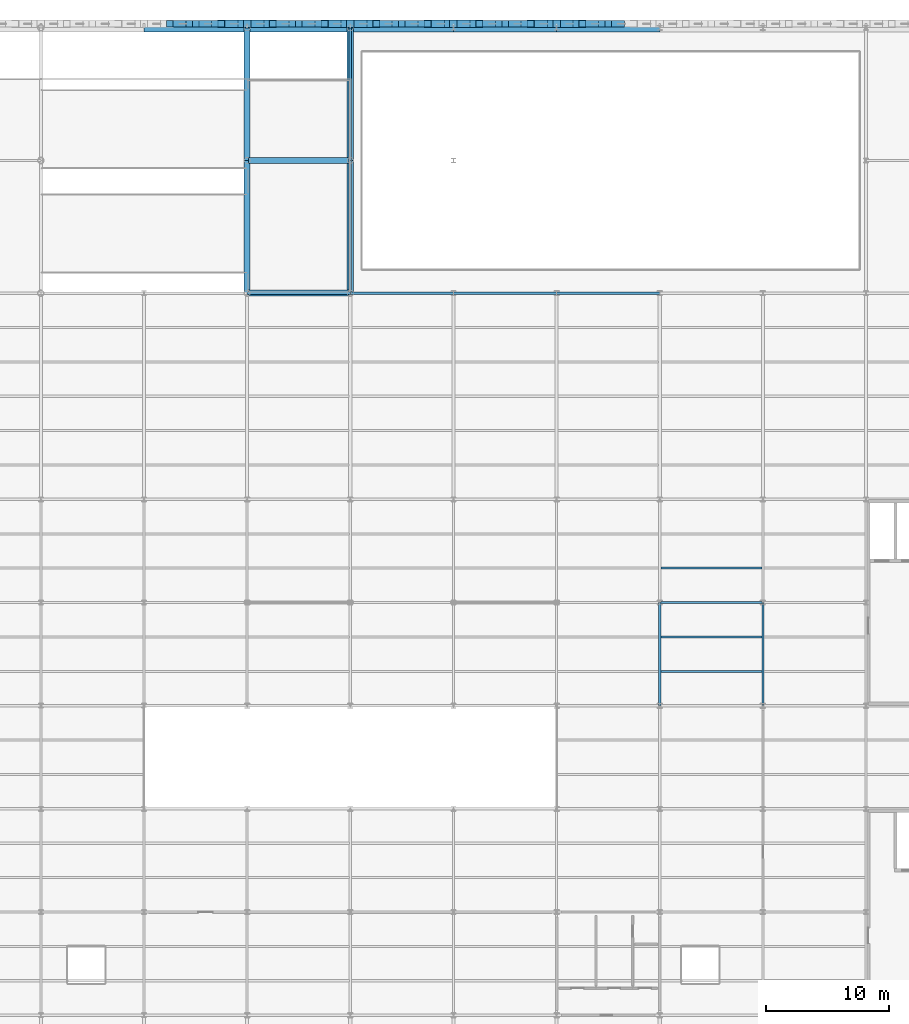
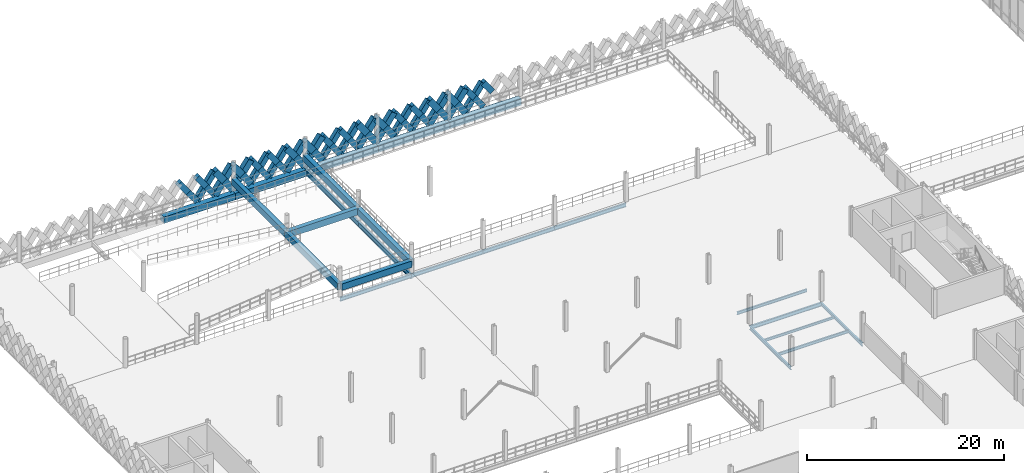
# One storey, part 38 of 101: 51 members, 23 beams.
"""IFC4 building model written with IfcOpenShell, lengths in metres."""

from ifc_helpers import new_model, si_unit, direction, frame, origin, origin_2d, place, context, subcontext, project, spatial, rectangle, i_section, extrude, material, material_profile, profile_set, type_object, element, save


model = new_model("IFC4")

# Units and contexts
model_context = context("Model", 3, precision=1e-05, world=origin(), true_north=direction((0.0, 1.0)))
body_context = subcontext(model_context, "Body", "Model", "MODEL_VIEW")
ifc_project = project(units=[si_unit("LENGTHUNIT", "METRE"), si_unit("AREAUNIT", "SQUARE_METRE"), si_unit("VOLUMEUNIT", "CUBIC_METRE"), si_unit("PLANEANGLEUNIT", "RADIAN"), si_unit("MASSUNIT", "GRAM", prefix="KILO"), si_unit("THERMODYNAMICTEMPERATUREUNIT", "KELVIN"), si_unit("POWERUNIT", "WATT")], contexts=[model_context])

# Site, building, storey
site_placement = place(None, origin())
site = spatial("IfcSite", under=ifc_project, at=site_placement, CompositionType="ELEMENT")
building_placement = place(site_placement, origin())
building = spatial("IfcBuilding", under=site, at=building_placement, Name="Tembeka Court Mobility Hub", CompositionType="ELEMENT")
storey_placement = place(building_placement, frame((0.0, 0.0, 5.39990234375)))
storey = spatial("IfcBuildingStorey", under=building, at=storey_placement, Name="L01", CompositionType="ELEMENT", Elevation=5.39990234375)

# Beams
ifc_material_1 = material(Name="Steel S355", Category="steel")
ifc_material_profile_1 = material_profile(ifc_material_1, i_section(OverallWidth=0.18994140625, OverallDepth=0.45703125, WebThickness=0.009033203125, FlangeThickness=0.014404296875, FilletRadius=0.01025390625, at=origin_2d()), Name="UKB 457x191x74")
ifc_profile_set_1 = profile_set([ifc_material_profile_1], Name="Steel S355")
beam_type_1 = type_object("IfcBeamType", Name="BM-B01", PredefinedType="BEAM", material=ifc_profile_set_1)
beam_1_placement = place(storey_placement, frame((67.199951171875, 72.0, -0.448486328125), z_axis=(1.0, 0.0, 0.0), x_axis=(0.0, 1.0, 0.0)))
element("IfcBeam", 1, at=beam_1_placement, inside=storey, type_object=beam_type_1, Name="Beam B01 (BM-L01-X0712)", PredefinedType="BEAM", context=body_context, shape_type="SweptSolid", body=[
    extrude(i_section(OverallWidth=0.18994140625, OverallDepth=0.45703125, WebThickness=0.009033203125, FlangeThickness=0.014404296875, FilletRadius=0.01025390625, at=origin_2d()), origin(), (0.0, 0.0, 1.0), 8.400146484375),
])
for number, where, z_axis, x_axis, name in (
    (2, (33.60009765625, 97.199951171875, -0.448486328125), (1.0, 0.0, 0.0), (0.0, 1.0, 0.0), "Beam B01 (BM-L01-X0739)"),
    (3, (42.0, 97.199951171875, -0.448486328125), (1.0, 0.0, 0.0), (0.0, 1.0, 0.0), "Beam B01 (BM-L01-X0740)"),
):
    element("IfcBeam", number, at=place(storey_placement, frame(where, z_axis=z_axis, x_axis=x_axis)), inside=storey, type_object=beam_type_1, Name=name, PredefinedType="BEAM", context=body_context, shape_type="SweptSolid", body=[
        extrude(i_section(OverallWidth=0.18994140625, OverallDepth=0.45703125, WebThickness=0.009033203125, FlangeThickness=0.014404296875, FilletRadius=0.01025390625, at=origin_2d()), origin(), (0.0, 0.0, 1.0), 8.39990234375),
    ])
beam_2_placement = place(storey_placement, frame((50.39990234375, 97.199951171875, -0.448486328125), z_axis=(1.0, 0.0, 0.0), x_axis=(0.0, 1.0, 0.0)))
element("IfcBeam", 4, at=beam_2_placement, inside=storey, type_object=beam_type_1, Name="Beam B01 (BM-L01-X0741)", PredefinedType="BEAM", context=body_context, shape_type="SweptSolid", body=[
    extrude(i_section(OverallWidth=0.18994140625, OverallDepth=0.45703125, WebThickness=0.009033203125, FlangeThickness=0.014404296875, FilletRadius=0.01025390625, at=origin_2d()), origin(), (0.0, 0.0, 1.0), 8.400146484375),
])
beam_3_placement = place(storey_placement, frame((58.800048828125, 97.199951171875, -0.448486328125), z_axis=(1.0, 0.0, 0.0), x_axis=(0.0, 1.0, 0.0)))
element("IfcBeam", 5, at=beam_3_placement, inside=storey, type_object=beam_type_1, Name="Beam B01 (BM-L01-X0742)", PredefinedType="BEAM", context=body_context, shape_type="SweptSolid", body=[
    extrude(i_section(OverallWidth=0.18994140625, OverallDepth=0.45703125, WebThickness=0.009033203125, FlangeThickness=0.014404296875, FilletRadius=0.01025390625, at=origin_2d()), origin(), (0.0, 0.0, 1.0), 8.39990234375),
])
ifc_material_profile_2 = material_profile(ifc_material_1, i_section(OverallWidth=0.177978515625, OverallDepth=0.406005859375, WebThickness=0.0078125, FlangeThickness=0.0126953125, FilletRadius=0.01025390625, at=origin_2d()), Name="UKB 406x178x60")
ifc_profile_set_2 = profile_set([ifc_material_profile_2], Name="Steel S355")
beam_type_2 = type_object("IfcBeamType", Name="BM-B02", PredefinedType="BEAM", material=ifc_profile_set_2)
for number, where, z_axis, x_axis, name in (
    (6, (67.199951171875, 63.60009765625, -0.4228515625), (0.0, 1.0, 0.0), (-1.0, 0.0, 0.0), "Beam B02 (BM-L01-Y0834)"),
    (7, (75.60009765625, 63.60009765625, -0.4228515625), (0.0, 1.0, 0.0), (-1.0, 0.0, 0.0), "Beam B02 (BM-L01-Y0841)"),
):
    element("IfcBeam", number, at=place(storey_placement, frame(where, z_axis=z_axis, x_axis=x_axis)), inside=storey, type_object=beam_type_2, Name=name, PredefinedType="BEAM", context=body_context, shape_type="SweptSolid", body=[
        extrude(i_section(OverallWidth=0.177978515625, OverallDepth=0.406005859375, WebThickness=0.0078125, FlangeThickness=0.0126953125, FilletRadius=0.01025390625, at=origin_2d()), origin(), (0.0, 0.0, 1.0), 8.39990234375),
    ])
ifc_material_2 = material(Name="Concrete C40/50", Category="concrete")
ifc_material_profile_3 = material_profile(ifc_material_2, rectangle(XDim=0.5, YDim=0.800048828125, at=origin_2d()), Name="RC-BM 500x800")
ifc_profile_set_3 = profile_set([ifc_material_profile_3], Name="Concrete C40/50")
beam_type_3 = type_object("IfcBeamType", Name="BM-B05", PredefinedType="BEAM", material=ifc_profile_set_3)
for number, where, z_axis, x_axis, name in (
    (8, (33.695068359375, 97.199951171875, 1.150146484375), (1.0, 0.0, 0.0), (0.0, 1.0, 0.0), "Car park vehicle ramp North R1 L01 half-landing tie beam EX1"),
    (9, (33.695068359375, 108.0, 1.150146484375), (1.0, 0.0, 0.0), (0.0, 1.0, 0.0), "Car park vehicle ramp North R1 L01 half-landing tie beam EX2"),
):
    element("IfcBeam", number, at=place(storey_placement, frame(where, z_axis=z_axis, x_axis=x_axis)), inside=storey, type_object=beam_type_3, Name=name, PredefinedType="BEAM", context=body_context, shape_type="SweptSolid", body=[
        extrude(rectangle(XDim=0.5, YDim=0.800048828125, at=origin_2d()), origin(), (0.0, 0.0, 1.0), 8.2099609375),
    ])
for number, where, z_axis, x_axis, name in (
    (10, (33.60009765625, 97.199951171875, 1.150146484375), (0.0, 1.0, 0.0), (-1.0, 0.0, 0.0), "Car park vehicle ramp North R1 L01 half-landing beam EM1"),
    (11, (33.60009765625, 108.0, 1.150146484375), (0.0, 1.0, 0.0), (-1.0, 0.0, 0.0), "Car park vehicle ramp North R1 L01 half-landing beam EM2"),
    (12, (42.0, 97.199951171875, 1.150146484375), (0.0, 1.0, 0.0), (-1.0, 0.0, 0.0), "Car park vehicle ramp North R1 L01 half-landing beam EE1"),
    (13, (42.0, 108.0, 1.150146484375), (0.0, 1.0, 0.0), (-1.0, 0.0, 0.0), "Car park vehicle ramp North R1 L01 half-landing beam EE2"),
):
    element("IfcBeam", number, at=place(storey_placement, frame(where, z_axis=z_axis, x_axis=x_axis)), inside=storey, type_object=beam_type_3, Name=name, PredefinedType="BEAM", context=body_context, shape_type="SweptSolid", body=[
        extrude(rectangle(XDim=0.5, YDim=0.800048828125, at=origin_2d()), origin(), (0.0, 0.0, 1.0), 10.800048828125),
    ])
ifc_material_profile_4 = material_profile(ifc_material_1, i_section(OverallWidth=0.22900390625, OverallDepth=0.612060546875, WebThickness=0.011962890625, FlangeThickness=0.01953125, FilletRadius=0.0126953125, at=origin_2d()), Name="UKB 610x229x125")
ifc_profile_set_4 = profile_set([ifc_material_profile_4], Name="Steel S355")
beam_type_4 = type_object("IfcBeamType", Name="BM-G02", PredefinedType="USERDEFINED", material=ifc_profile_set_4)
for number, where, z_axis, x_axis, name in (
    (14, (42.0, 97.199951171875, -0.52587890625), (0.0, 1.0, 0.0), (-1.0, 0.0, 0.0), "Beam G02 (BM-L01-Y0815)"),
    (15, (42.0, 108.0, -0.52587890625), (0.0, 1.0, 0.0), (-1.0, 0.0, 0.0), "Beam G02 (BM-L01-Y0816)"),
):
    element("IfcBeam", number, at=place(storey_placement, frame(where, z_axis=z_axis, x_axis=x_axis)), inside=storey, type_object=beam_type_4, Name=name, ObjectType="GIRDER", PredefinedType="USERDEFINED", context=body_context, shape_type="SweptSolid", body=[
        extrude(i_section(OverallWidth=0.22900390625, OverallDepth=0.612060546875, WebThickness=0.011962890625, FlangeThickness=0.01953125, FilletRadius=0.0126953125, at=origin_2d()), origin(), (0.0, 0.0, 1.0), 10.800048828125),
    ])
ifc_material_profile_5 = material_profile(ifc_material_1, i_section(OverallWidth=0.1650390625, OverallDepth=0.303955078125, WebThickness=0.006103515625, FlangeThickness=0.01025390625, FilletRadius=0.0087890625, at=origin_2d()), Name="UKB 305x165x40")
ifc_profile_set_5 = profile_set([ifc_material_profile_5], Name="Steel S355")
beam_type_5 = type_object("IfcBeamType", Name="BM-J02", PredefinedType="JOIST", material=ifc_profile_set_5)
beam_4_placement = place(storey_placement, frame((67.283935546875, 69.199951171875, -0.371826171875), z_axis=(1.0, 0.0, 0.0), x_axis=(0.0, 1.0, 0.0)))
element("IfcBeam", 16, at=beam_4_placement, inside=storey, type_object=beam_type_5, Name="Beam J02 (JST-L01-1067)", PredefinedType="JOIST", context=body_context, shape_type="SweptSolid", body=[
    extrude(i_section(OverallWidth=0.1650390625, OverallDepth=0.303955078125, WebThickness=0.006103515625, FlangeThickness=0.01025390625, FilletRadius=0.0087890625, at=origin_2d()), origin(), (0.0, 0.0, 1.0), 8.232177734375),
])
ifc_material_profile_6 = material_profile(ifc_material_1, i_section(OverallWidth=0.169921875, OverallDepth=0.360107421875, WebThickness=0.008056640625, FlangeThickness=0.0126953125, FilletRadius=0.01806640625, at=origin_2d()), Name="IPE 360")
ifc_profile_set_6 = profile_set([ifc_material_profile_6], Name="Steel S355")
beam_type_6 = type_object("IfcBeamType", Name="BM-J03", PredefinedType="JOIST", material=ifc_profile_set_6)
for number, where, z_axis, x_axis, name in (
    (17, (67.283935546875, 66.39990234375, -0.39990234375), (1.0, 0.0, 0.0), (0.0, 1.0, 0.0), "Beam J03 (JST-L01-1066)"),
    (18, (67.283935546875, 74.800048828125, -0.39990234375), (1.0, 0.0, 0.0), (0.0, 1.0, 0.0), "Beam J03 (JST-L01-1068)"),
):
    element("IfcBeam", number, at=place(storey_placement, frame(where, z_axis=z_axis, x_axis=x_axis)), inside=storey, type_object=beam_type_6, Name=name, PredefinedType="JOIST", context=body_context, shape_type="SweptSolid", body=[
        extrude(i_section(OverallWidth=0.169921875, OverallDepth=0.360107421875, WebThickness=0.008056640625, FlangeThickness=0.0126953125, FilletRadius=0.01806640625, at=origin_2d()), origin(), (0.0, 0.0, 1.0), 8.232177734375),
    ])
ifc_material_3 = material(Name="Precast concrete C45/55", Category="concrete")
ifc_material_profile_7 = material_profile(ifc_material_3, rectangle(XDim=0.64990234375, YDim=0.800048828125, at=origin_2d()), Name="PC-SP 650x800")
ifc_profile_set_7 = profile_set([ifc_material_profile_7], Name="Precast concrete C45/55")
beam_type_7 = type_object("IfcBeamType", Name="BM-SP01", PredefinedType="SPANDREL", material=ifc_profile_set_7)
beam_5_placement = place(storey_placement, frame((25.199951171875, 118.800048828125, -0.619873046875), z_axis=(1.0, 0.0, 0.0), x_axis=(0.0, 1.0, 0.0)))
element("IfcBeam", 19, at=beam_5_placement, inside=storey, type_object=beam_type_7, Name="Beam SP01 (BM-L01-X0753)", PredefinedType="SPANDREL", context=body_context, shape_type="SweptSolid", body=[
    extrude(rectangle(XDim=0.64990234375, YDim=0.800048828125, at=origin_2d()), origin(), (0.0, 0.0, 1.0), 8.400146484375),
])
for number, where, z_axis, x_axis, name in (
    (20, (33.60009765625, 118.800048828125, -0.619873046875), (1.0, 0.0, 0.0), (0.0, 1.0, 0.0), "Beam SP01 (BM-L01-X0754)"),
    (21, (42.0, 118.800048828125, -0.619873046875), (1.0, 0.0, 0.0), (0.0, 1.0, 0.0), "Beam SP01 (BM-L01-X0755)"),
):
    element("IfcBeam", number, at=place(storey_placement, frame(where, z_axis=z_axis, x_axis=x_axis)), inside=storey, type_object=beam_type_7, Name=name, PredefinedType="SPANDREL", context=body_context, shape_type="SweptSolid", body=[
        extrude(rectangle(XDim=0.64990234375, YDim=0.800048828125, at=origin_2d()), origin(), (0.0, 0.0, 1.0), 8.39990234375),
    ])
beam_6_placement = place(storey_placement, frame((50.39990234375, 118.800048828125, -0.619873046875), z_axis=(1.0, 0.0, 0.0), x_axis=(0.0, 1.0, 0.0)))
element("IfcBeam", 22, at=beam_6_placement, inside=storey, type_object=beam_type_7, Name="Beam SP01 (BM-L01-X0756)", PredefinedType="SPANDREL", context=body_context, shape_type="SweptSolid", body=[
    extrude(rectangle(XDim=0.64990234375, YDim=0.800048828125, at=origin_2d()), origin(), (0.0, 0.0, 1.0), 8.400146484375),
])
beam_7_placement = place(storey_placement, frame((58.800048828125, 118.800048828125, -0.619873046875), z_axis=(1.0, 0.0, 0.0), x_axis=(0.0, 1.0, 0.0)))
element("IfcBeam", 23, at=beam_7_placement, inside=storey, type_object=beam_type_7, Name="Beam SP01 (BM-L01-X0757)", PredefinedType="SPANDREL", context=body_context, shape_type="SweptSolid", body=[
    extrude(rectangle(XDim=0.64990234375, YDim=0.800048828125, at=origin_2d()), origin(), (0.0, 0.0, 1.0), 8.39990234375),
])

# Members
ifc_material_profile_8 = material_profile(ifc_material_3, rectangle(XDim=0.5, YDim=0.64990234375, at=origin_2d()), Name="PC-DIAG 500x650")
ifc_profile_set_8 = profile_set([ifc_material_profile_8], Name="Precast concrete C45/55")
member_type_1 = type_object("IfcMemberType", Name="MEM-DL01", PredefinedType="BRACE", material=ifc_profile_set_8)
for number, where, z_axis, x_axis, name in (
    (24, (29.39990234375, 119.139892578125, 0.02001953125), (-0.582454804382, 0.0, 0.812863088627), (0.0, -1.0, 0.0), "Precast diamond lattice split lower strand DL01 (L01-58B1)"),
    (25, (28.35009765625, 119.139892578125, 1.485107421875), (-0.582544294934, 0.0, 0.812798956963), (0.0, -1.0, 0.0), "Precast diamond lattice split upper strand DL01 (L01-58B2)"),
):
    element("IfcMember", number, at=place(storey_placement, frame(where, z_axis=z_axis, x_axis=x_axis)), inside=storey, type_object=member_type_1, Name=name, PredefinedType="BRACE", context=body_context, shape_type="SweptSolid", body=[
        extrude(rectangle(XDim=0.5, YDim=0.64990234375, at=origin_2d()), origin(), (0.0, 0.0, 1.0), 1.802490234375),
    ])
member_1_placement = place(storey_placement, frame((29.39990234375, 119.139892578125, 0.02001953125), z_axis=(0.582544294934, 0.0, 0.812798956963), x_axis=(0.0, 1.0, 0.0)))
element("IfcMember", 26, at=member_1_placement, inside=storey, type_object=member_type_1, Name="Precast diamond lattice continuous strand DL01 (L01-59A)", PredefinedType="BRACE", context=body_context, shape_type="SweptSolid", body=[
    extrude(rectangle(XDim=0.5, YDim=0.64990234375, at=origin_2d()), origin(), (0.0, 0.0, 1.0), 3.60498046875),
])
for number, where, z_axis, x_axis, name in (
    (27, (31.5, 119.139892578125, 0.02001953125), (-0.582544294934, 0.0, 0.812798956963), (0.0, -1.0, 0.0), "Precast diamond lattice split lower strand DL01 (L01-59B1)"),
    (28, (30.449951171875, 119.139892578125, 1.485107421875), (-0.582544294934, 0.0, 0.812798956963), (0.0, -1.0, 0.0), "Precast diamond lattice split upper strand DL01 (L01-59B2)"),
):
    element("IfcMember", number, at=place(storey_placement, frame(where, z_axis=z_axis, x_axis=x_axis)), inside=storey, type_object=member_type_1, Name=name, PredefinedType="BRACE", context=body_context, shape_type="SweptSolid", body=[
        extrude(rectangle(XDim=0.5, YDim=0.64990234375, at=origin_2d()), origin(), (0.0, 0.0, 1.0), 1.802490234375),
    ])
member_2_placement = place(storey_placement, frame((35.699951171875, 119.139892578125, 0.02001953125), z_axis=(0.582544294934, 0.0, 0.812798956963), x_axis=(0.0, 1.0, 0.0)))
element("IfcMember", 29, at=member_2_placement, inside=storey, type_object=member_type_1, Name="Precast diamond lattice continuous strand DL01 (L01-62A)", PredefinedType="BRACE", context=body_context, shape_type="SweptSolid", body=[
    extrude(rectangle(XDim=0.5, YDim=0.64990234375, at=origin_2d()), origin(), (0.0, 0.0, 1.0), 3.60498046875),
])
for number, where, z_axis, x_axis, name in (
    (30, (37.800048828125, 119.139892578125, 0.02001953125), (-0.582544294934, 0.0, 0.812798956963), (0.0, -1.0, 0.0), "Precast diamond lattice split lower strand DL01 (L01-62B1)"),
    (31, (36.75, 119.139892578125, 1.485107421875), (-0.582544294934, 0.0, 0.812798956963), (0.0, -1.0, 0.0), "Precast diamond lattice split upper strand DL01 (L01-62B2)"),
):
    element("IfcMember", number, at=place(storey_placement, frame(where, z_axis=z_axis, x_axis=x_axis)), inside=storey, type_object=member_type_1, Name=name, PredefinedType="BRACE", context=body_context, shape_type="SweptSolid", body=[
        extrude(rectangle(XDim=0.5, YDim=0.64990234375, at=origin_2d()), origin(), (0.0, 0.0, 1.0), 1.802490234375),
    ])
member_3_placement = place(storey_placement, frame((37.800048828125, 119.139892578125, 0.02001953125), z_axis=(0.582499552306, 0.0, 0.812831022762), x_axis=(0.0, 1.0, 0.0)))
element("IfcMember", 32, at=member_3_placement, inside=storey, type_object=member_type_1, Name="Precast diamond lattice continuous strand DL01 (L01-63A)", PredefinedType="BRACE", context=body_context, shape_type="SweptSolid", body=[
    extrude(rectangle(XDim=0.5, YDim=0.64990234375, at=origin_2d()), origin(), (0.0, 0.0, 1.0), 3.60498046875),
])
for number, where, z_axis, x_axis, name in (
    (33, (39.89990234375, 119.139892578125, 0.02001953125), (-0.582454804382, 0.0, 0.812863088627), (0.0, -1.0, 0.0), "Precast diamond lattice split lower strand DL01 (L01-63B1)"),
    (34, (38.85009765625, 119.139892578125, 1.485107421875), (-0.582544294934, 0.0, 0.812798956963), (0.0, -1.0, 0.0), "Precast diamond lattice split upper strand DL01 (L01-63B2)"),
):
    element("IfcMember", number, at=place(storey_placement, frame(where, z_axis=z_axis, x_axis=x_axis)), inside=storey, type_object=member_type_1, Name=name, PredefinedType="BRACE", context=body_context, shape_type="SweptSolid", body=[
        extrude(rectangle(XDim=0.5, YDim=0.64990234375, at=origin_2d()), origin(), (0.0, 0.0, 1.0), 1.802490234375),
    ])
member_4_placement = place(storey_placement, frame((44.10009765625, 119.139892578125, 0.02001953125), z_axis=(0.582499552306, 0.0, 0.812831022762), x_axis=(0.0, 1.0, 0.0)))
element("IfcMember", 35, at=member_4_placement, inside=storey, type_object=member_type_1, Name="Precast diamond lattice continuous strand DL01 (L01-66A)", PredefinedType="BRACE", context=body_context, shape_type="SweptSolid", body=[
    extrude(rectangle(XDim=0.5, YDim=0.64990234375, at=origin_2d()), origin(), (0.0, 0.0, 1.0), 3.60498046875),
])
for number, where, z_axis, x_axis, name in (
    (36, (46.199951171875, 119.139892578125, 0.02001953125), (-0.582544294934, 0.0, 0.812798956963), (0.0, -1.0, 0.0), "Precast diamond lattice split lower strand DL01 (L01-66B1)"),
    (37, (45.14990234375, 119.139892578125, 1.485107421875), (-0.582454804382, 0.0, 0.812863088627), (0.0, -1.0, 0.0), "Precast diamond lattice split upper strand DL01 (L01-66B2)"),
):
    element("IfcMember", number, at=place(storey_placement, frame(where, z_axis=z_axis, x_axis=x_axis)), inside=storey, type_object=member_type_1, Name=name, PredefinedType="BRACE", context=body_context, shape_type="SweptSolid", body=[
        extrude(rectangle(XDim=0.5, YDim=0.64990234375, at=origin_2d()), origin(), (0.0, 0.0, 1.0), 1.802490234375),
    ])
member_5_placement = place(storey_placement, frame((46.199951171875, 119.139892578125, 0.02001953125), z_axis=(0.582544294934, 0.0, 0.812798956963), x_axis=(0.0, 1.0, 0.0)))
element("IfcMember", 38, at=member_5_placement, inside=storey, type_object=member_type_1, Name="Precast diamond lattice continuous strand DL01 (L01-67A)", PredefinedType="BRACE", context=body_context, shape_type="SweptSolid", body=[
    extrude(rectangle(XDim=0.5, YDim=0.64990234375, at=origin_2d()), origin(), (0.0, 0.0, 1.0), 3.60498046875),
])
for number, where, z_axis, x_axis, name in (
    (39, (48.300048828125, 119.139892578125, 0.02001953125), (-0.582544294934, 0.0, 0.812798956963), (0.0, -1.0, 0.0), "Precast diamond lattice split lower strand DL01 (L01-67B1)"),
    (40, (47.25, 119.139892578125, 1.485107421875), (-0.582544294934, 0.0, 0.812798956963), (0.0, -1.0, 0.0), "Precast diamond lattice split upper strand DL01 (L01-67B2)"),
):
    element("IfcMember", number, at=place(storey_placement, frame(where, z_axis=z_axis, x_axis=x_axis)), inside=storey, type_object=member_type_1, Name=name, PredefinedType="BRACE", context=body_context, shape_type="SweptSolid", body=[
        extrude(rectangle(XDim=0.5, YDim=0.64990234375, at=origin_2d()), origin(), (0.0, 0.0, 1.0), 1.802490234375),
    ])
member_6_placement = place(storey_placement, frame((52.5, 119.139892578125, 0.02001953125), z_axis=(0.582544294934, 0.0, 0.812798956963), x_axis=(0.0, 1.0, 0.0)))
element("IfcMember", 41, at=member_6_placement, inside=storey, type_object=member_type_1, Name="Precast diamond lattice continuous strand DL01 (L01-70A)", PredefinedType="BRACE", context=body_context, shape_type="SweptSolid", body=[
    extrude(rectangle(XDim=0.5, YDim=0.64990234375, at=origin_2d()), origin(), (0.0, 0.0, 1.0), 3.60498046875),
])
for number, where, z_axis, x_axis, name in (
    (42, (54.60009765625, 119.139892578125, 0.02001953125), (-0.582544294934, 0.0, 0.812798956963), (0.0, -1.0, 0.0), "Precast diamond lattice split lower strand DL01 (L01-70B1)"),
    (43, (53.550048828125, 119.139892578125, 1.485107421875), (-0.582544294934, 0.0, 0.812798956963), (0.0, -1.0, 0.0), "Precast diamond lattice split upper strand DL01 (L01-70B2)"),
):
    element("IfcMember", number, at=place(storey_placement, frame(where, z_axis=z_axis, x_axis=x_axis)), inside=storey, type_object=member_type_1, Name=name, PredefinedType="BRACE", context=body_context, shape_type="SweptSolid", body=[
        extrude(rectangle(XDim=0.5, YDim=0.64990234375, at=origin_2d()), origin(), (0.0, 0.0, 1.0), 1.802490234375),
    ])
member_7_placement = place(storey_placement, frame((54.60009765625, 119.139892578125, 0.02001953125), z_axis=(0.582499552306, 0.0, 0.812831022762), x_axis=(0.0, 1.0, 0.0)))
element("IfcMember", 44, at=member_7_placement, inside=storey, type_object=member_type_1, Name="Precast diamond lattice continuous strand DL01 (L01-71A)", PredefinedType="BRACE", context=body_context, shape_type="SweptSolid", body=[
    extrude(rectangle(XDim=0.5, YDim=0.64990234375, at=origin_2d()), origin(), (0.0, 0.0, 1.0), 3.60498046875),
])
for number, where, z_axis, x_axis, name in (
    (45, (56.699951171875, 119.139892578125, 0.02001953125), (-0.582544294934, 0.0, 0.812798956963), (0.0, -1.0, 0.0), "Precast diamond lattice split lower strand DL01 (L01-71B1)"),
    (46, (55.64990234375, 119.139892578125, 1.485107421875), (-0.582454804382, 0.0, 0.812863088627), (0.0, -1.0, 0.0), "Precast diamond lattice split upper strand DL01 (L01-71B2)"),
):
    element("IfcMember", number, at=place(storey_placement, frame(where, z_axis=z_axis, x_axis=x_axis)), inside=storey, type_object=member_type_1, Name=name, PredefinedType="BRACE", context=body_context, shape_type="SweptSolid", body=[
        extrude(rectangle(XDim=0.5, YDim=0.64990234375, at=origin_2d()), origin(), (0.0, 0.0, 1.0), 1.802490234375),
    ])
member_8_placement = place(storey_placement, frame((60.89990234375, 119.139892578125, 0.02001953125), z_axis=(0.582544294934, 0.0, 0.812798956963), x_axis=(0.0, 1.0, 0.0)))
element("IfcMember", 47, at=member_8_placement, inside=storey, type_object=member_type_1, Name="Precast diamond lattice continuous strand DL01 (L01-74A)", PredefinedType="BRACE", context=body_context, shape_type="SweptSolid", body=[
    extrude(rectangle(XDim=0.5, YDim=0.64990234375, at=origin_2d()), origin(), (0.0, 0.0, 1.0), 3.60498046875),
])
for number, where, z_axis, x_axis, name in (
    (48, (63.0, 119.139892578125, 0.02001953125), (-0.582544294934, 0.0, 0.812798956963), (0.0, -1.0, 0.0), "Precast diamond lattice split lower strand DL01 (L01-74B1)"),
    (49, (61.949951171875, 119.139892578125, 1.485107421875), (-0.582544294934, 0.0, 0.812798956963), (0.0, -1.0, 0.0), "Precast diamond lattice split upper strand DL01 (L01-74B2)"),
    (50, (64.050048828125, 119.139892578125, 1.485107421875), (-0.582544294934, 0.0, 0.812798956963), (0.0, -1.0, 0.0), "Precast diamond lattice split upper strand DL01 (L01-75B2)"),
):
    element("IfcMember", number, at=place(storey_placement, frame(where, z_axis=z_axis, x_axis=x_axis)), inside=storey, type_object=member_type_1, Name=name, PredefinedType="BRACE", context=body_context, shape_type="SweptSolid", body=[
        extrude(rectangle(XDim=0.5, YDim=0.64990234375, at=origin_2d()), origin(), (0.0, 0.0, 1.0), 1.802490234375),
    ])
ifc_material_profile_9 = material_profile(ifc_material_3, rectangle(XDim=0.60009765625, YDim=0.75, at=origin_2d()), Name="PC-DIAG 600x750")
ifc_profile_set_9 = profile_set([ifc_material_profile_9], Name="Precast concrete C45/55")
member_type_2 = type_object("IfcMemberType", Name="MEM-DL02", PredefinedType="BRACE", material=ifc_profile_set_9)
member_9_placement = place(storey_placement, frame((31.5, 119.139892578125, 0.02001953125), z_axis=(0.582544294934, 0.0, 0.812798956963), x_axis=(0.0, 1.0, 0.0)))
element("IfcMember", 51, at=member_9_placement, inside=storey, type_object=member_type_2, Name="Precast diamond lattice continuous strand DL02 (L01-60A)", PredefinedType="BRACE", context=body_context, shape_type="SweptSolid", body=[
    extrude(rectangle(XDim=0.60009765625, YDim=0.75, at=origin_2d()), origin(), (0.0, 0.0, 1.0), 3.60498046875),
])
for number, where, z_axis, x_axis, name in (
    (52, (33.60009765625, 119.139892578125, 0.02001953125), (-0.582544294934, 0.0, 0.812798956963), (0.0, -1.0, 0.0), "Precast diamond lattice split lower strand DL02 (L01-60B1)"),
    (53, (32.550048828125, 119.139892578125, 1.485107421875), (-0.582544294934, 0.0, 0.812798956963), (0.0, -1.0, 0.0), "Precast diamond lattice split upper strand DL02 (L01-60B2)"),
):
    element("IfcMember", number, at=place(storey_placement, frame(where, z_axis=z_axis, x_axis=x_axis)), inside=storey, type_object=member_type_2, Name=name, PredefinedType="BRACE", context=body_context, shape_type="SweptSolid", body=[
        extrude(rectangle(XDim=0.60009765625, YDim=0.75, at=origin_2d()), origin(), (0.0, 0.0, 1.0), 1.802490234375),
    ])
member_10_placement = place(storey_placement, frame((33.60009765625, 119.139892578125, 0.02001953125), z_axis=(0.582499552306, 0.0, 0.812831022762), x_axis=(0.0, 1.0, 0.0)))
element("IfcMember", 54, at=member_10_placement, inside=storey, type_object=member_type_2, Name="Precast diamond lattice continuous strand DL02 (L01-61A)", PredefinedType="BRACE", context=body_context, shape_type="SweptSolid", body=[
    extrude(rectangle(XDim=0.60009765625, YDim=0.75, at=origin_2d()), origin(), (0.0, 0.0, 1.0), 3.60498046875),
])
for number, where, z_axis, x_axis, name in (
    (55, (35.699951171875, 119.139892578125, 0.02001953125), (-0.582544294934, 0.0, 0.812798956963), (0.0, -1.0, 0.0), "Precast diamond lattice split lower strand DL02 (L01-61B1)"),
    (56, (34.64990234375, 119.139892578125, 1.485107421875), (-0.582454804382, 0.0, 0.812863088627), (0.0, -1.0, 0.0), "Precast diamond lattice split upper strand DL02 (L01-61B2)"),
):
    element("IfcMember", number, at=place(storey_placement, frame(where, z_axis=z_axis, x_axis=x_axis)), inside=storey, type_object=member_type_2, Name=name, PredefinedType="BRACE", context=body_context, shape_type="SweptSolid", body=[
        extrude(rectangle(XDim=0.60009765625, YDim=0.75, at=origin_2d()), origin(), (0.0, 0.0, 1.0), 1.802490234375),
    ])
member_11_placement = place(storey_placement, frame((39.89990234375, 119.139892578125, 0.02001953125), z_axis=(0.582544294934, 0.0, 0.812798956963), x_axis=(0.0, 1.0, 0.0)))
element("IfcMember", 57, at=member_11_placement, inside=storey, type_object=member_type_2, Name="Precast diamond lattice continuous strand DL02 (L01-64A)", PredefinedType="BRACE", context=body_context, shape_type="SweptSolid", body=[
    extrude(rectangle(XDim=0.60009765625, YDim=0.75, at=origin_2d()), origin(), (0.0, 0.0, 1.0), 3.60498046875),
])
for number, where, z_axis, x_axis, name in (
    (58, (42.0, 119.139892578125, 0.02001953125), (-0.582544294934, 0.0, 0.812798956963), (0.0, -1.0, 0.0), "Precast diamond lattice split lower strand DL02 (L01-64B1)"),
    (59, (40.949951171875, 119.139892578125, 1.485107421875), (-0.582544294934, 0.0, 0.812798956963), (0.0, -1.0, 0.0), "Precast diamond lattice split upper strand DL02 (L01-64B2)"),
):
    element("IfcMember", number, at=place(storey_placement, frame(where, z_axis=z_axis, x_axis=x_axis)), inside=storey, type_object=member_type_2, Name=name, PredefinedType="BRACE", context=body_context, shape_type="SweptSolid", body=[
        extrude(rectangle(XDim=0.60009765625, YDim=0.75, at=origin_2d()), origin(), (0.0, 0.0, 1.0), 1.802490234375),
    ])
member_12_placement = place(storey_placement, frame((42.0, 119.139892578125, 0.02001953125), z_axis=(0.582544294934, 0.0, 0.812798956963), x_axis=(0.0, 1.0, 0.0)))
element("IfcMember", 60, at=member_12_placement, inside=storey, type_object=member_type_2, Name="Precast diamond lattice continuous strand DL02 (L01-65A)", PredefinedType="BRACE", context=body_context, shape_type="SweptSolid", body=[
    extrude(rectangle(XDim=0.60009765625, YDim=0.75, at=origin_2d()), origin(), (0.0, 0.0, 1.0), 3.60498046875),
])
for number, where, z_axis, x_axis, name in (
    (61, (44.10009765625, 119.139892578125, 0.02001953125), (-0.582544294934, 0.0, 0.812798956963), (0.0, -1.0, 0.0), "Precast diamond lattice split lower strand DL02 (L01-65B1)"),
    (62, (43.050048828125, 119.139892578125, 1.485107421875), (-0.582544294934, 0.0, 0.812798956963), (0.0, -1.0, 0.0), "Precast diamond lattice split upper strand DL02 (L01-65B2)"),
):
    element("IfcMember", number, at=place(storey_placement, frame(where, z_axis=z_axis, x_axis=x_axis)), inside=storey, type_object=member_type_2, Name=name, PredefinedType="BRACE", context=body_context, shape_type="SweptSolid", body=[
        extrude(rectangle(XDim=0.60009765625, YDim=0.75, at=origin_2d()), origin(), (0.0, 0.0, 1.0), 1.802490234375),
    ])
member_13_placement = place(storey_placement, frame((48.300048828125, 119.139892578125, 0.02001953125), z_axis=(0.582499552306, 0.0, 0.812831022762), x_axis=(0.0, 1.0, 0.0)))
element("IfcMember", 63, at=member_13_placement, inside=storey, type_object=member_type_2, Name="Precast diamond lattice continuous strand DL02 (L01-68A)", PredefinedType="BRACE", context=body_context, shape_type="SweptSolid", body=[
    extrude(rectangle(XDim=0.60009765625, YDim=0.75, at=origin_2d()), origin(), (0.0, 0.0, 1.0), 3.60498046875),
])
for number, where, z_axis, x_axis, name in (
    (64, (50.39990234375, 119.139892578125, 0.02001953125), (-0.582454804382, 0.0, 0.812863088627), (0.0, -1.0, 0.0), "Precast diamond lattice split lower strand DL02 (L01-68B1)"),
    (65, (49.35009765625, 119.139892578125, 1.485107421875), (-0.582544294934, 0.0, 0.812798956963), (0.0, -1.0, 0.0), "Precast diamond lattice split upper strand DL02 (L01-68B2)"),
):
    element("IfcMember", number, at=place(storey_placement, frame(where, z_axis=z_axis, x_axis=x_axis)), inside=storey, type_object=member_type_2, Name=name, PredefinedType="BRACE", context=body_context, shape_type="SweptSolid", body=[
        extrude(rectangle(XDim=0.60009765625, YDim=0.75, at=origin_2d()), origin(), (0.0, 0.0, 1.0), 1.802490234375),
    ])
member_14_placement = place(storey_placement, frame((50.39990234375, 119.139892578125, 0.02001953125), z_axis=(0.582544294934, 0.0, 0.812798956963), x_axis=(0.0, 1.0, 0.0)))
element("IfcMember", 66, at=member_14_placement, inside=storey, type_object=member_type_2, Name="Precast diamond lattice continuous strand DL02 (L01-69A)", PredefinedType="BRACE", context=body_context, shape_type="SweptSolid", body=[
    extrude(rectangle(XDim=0.60009765625, YDim=0.75, at=origin_2d()), origin(), (0.0, 0.0, 1.0), 3.60498046875),
])
for number, where, z_axis, x_axis, name in (
    (67, (52.5, 119.139892578125, 0.02001953125), (-0.582544294934, 0.0, 0.812798956963), (0.0, -1.0, 0.0), "Precast diamond lattice split lower strand DL02 (L01-69B1)"),
    (68, (51.449951171875, 119.139892578125, 1.485107421875), (-0.582544294934, 0.0, 0.812798956963), (0.0, -1.0, 0.0), "Precast diamond lattice split upper strand DL02 (L01-69B2)"),
):
    element("IfcMember", number, at=place(storey_placement, frame(where, z_axis=z_axis, x_axis=x_axis)), inside=storey, type_object=member_type_2, Name=name, PredefinedType="BRACE", context=body_context, shape_type="SweptSolid", body=[
        extrude(rectangle(XDim=0.60009765625, YDim=0.75, at=origin_2d()), origin(), (0.0, 0.0, 1.0), 1.802490234375),
    ])
member_15_placement = place(storey_placement, frame((56.699951171875, 119.139892578125, 0.02001953125), z_axis=(0.582544294934, 0.0, 0.812798956963), x_axis=(0.0, 1.0, 0.0)))
element("IfcMember", 69, at=member_15_placement, inside=storey, type_object=member_type_2, Name="Precast diamond lattice continuous strand DL02 (L01-72A)", PredefinedType="BRACE", context=body_context, shape_type="SweptSolid", body=[
    extrude(rectangle(XDim=0.60009765625, YDim=0.75, at=origin_2d()), origin(), (0.0, 0.0, 1.0), 3.60498046875),
])
for number, where, z_axis, x_axis, name in (
    (70, (58.800048828125, 119.139892578125, 0.02001953125), (-0.582544294934, 0.0, 0.812798956963), (0.0, -1.0, 0.0), "Precast diamond lattice split lower strand DL02 (L01-72B1)"),
    (71, (57.75, 119.139892578125, 1.485107421875), (-0.582544294934, 0.0, 0.812798956963), (0.0, -1.0, 0.0), "Precast diamond lattice split upper strand DL02 (L01-72B2)"),
):
    element("IfcMember", number, at=place(storey_placement, frame(where, z_axis=z_axis, x_axis=x_axis)), inside=storey, type_object=member_type_2, Name=name, PredefinedType="BRACE", context=body_context, shape_type="SweptSolid", body=[
        extrude(rectangle(XDim=0.60009765625, YDim=0.75, at=origin_2d()), origin(), (0.0, 0.0, 1.0), 1.802490234375),
    ])
member_16_placement = place(storey_placement, frame((58.800048828125, 119.139892578125, 0.02001953125), z_axis=(0.582499552306, 0.0, 0.812831022762), x_axis=(0.0, 1.0, 0.0)))
element("IfcMember", 72, at=member_16_placement, inside=storey, type_object=member_type_2, Name="Precast diamond lattice continuous strand DL02 (L01-73A)", PredefinedType="BRACE", context=body_context, shape_type="SweptSolid", body=[
    extrude(rectangle(XDim=0.60009765625, YDim=0.75, at=origin_2d()), origin(), (0.0, 0.0, 1.0), 3.60498046875),
])
for number, where, z_axis, x_axis, name in (
    (73, (60.89990234375, 119.139892578125, 0.02001953125), (-0.582454804382, 0.0, 0.812863088627), (0.0, -1.0, 0.0), "Precast diamond lattice split lower strand DL02 (L01-73B1)"),
    (74, (59.85009765625, 119.139892578125, 1.485107421875), (-0.582544294934, 0.0, 0.812798956963), (0.0, -1.0, 0.0), "Precast diamond lattice split upper strand DL02 (L01-73B2)"),
):
    element("IfcMember", number, at=place(storey_placement, frame(where, z_axis=z_axis, x_axis=x_axis)), inside=storey, type_object=member_type_2, Name=name, PredefinedType="BRACE", context=body_context, shape_type="SweptSolid", body=[
        extrude(rectangle(XDim=0.60009765625, YDim=0.75, at=origin_2d()), origin(), (0.0, 0.0, 1.0), 1.802490234375),
    ])

save(model, "model.ifc")
